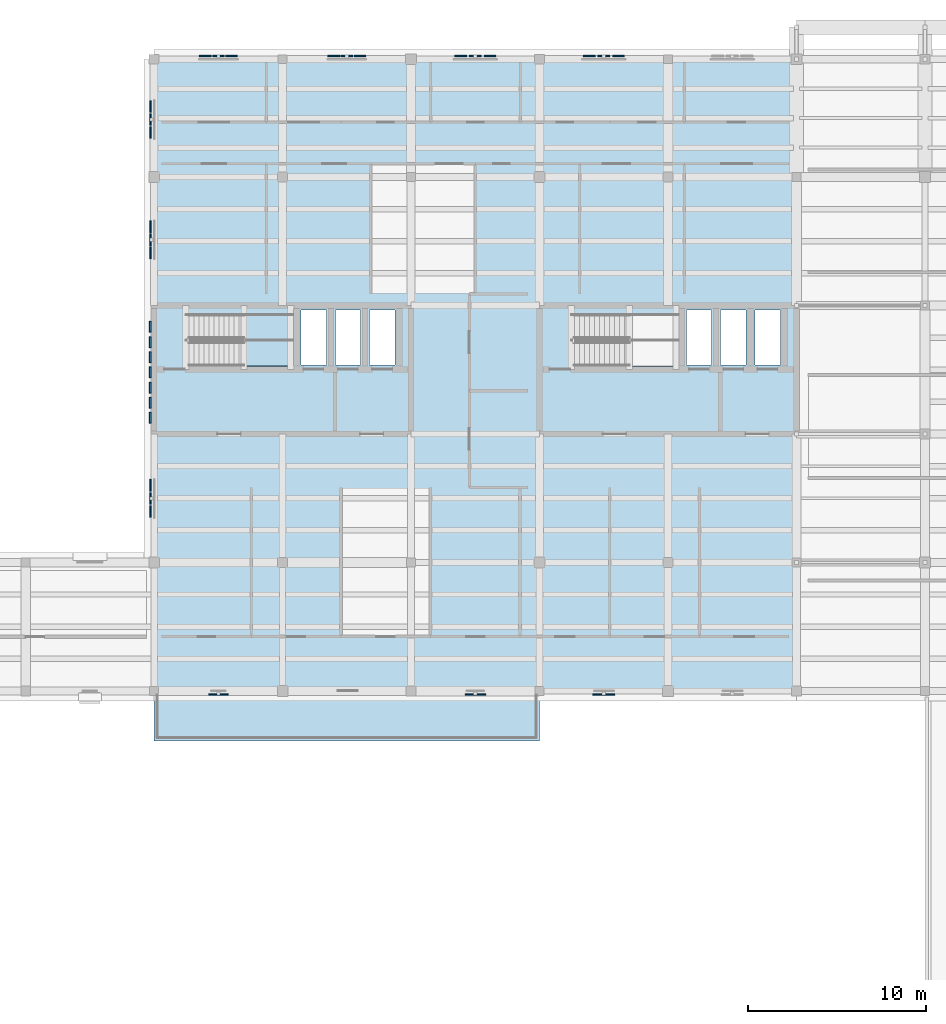
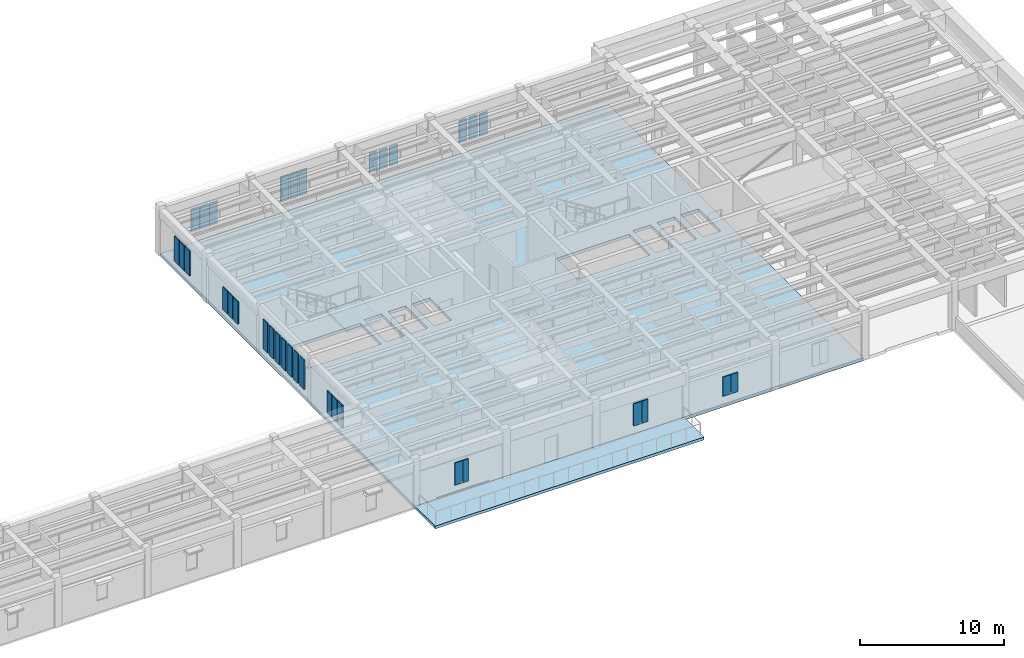
# One storey, part 7 of 22: 34 plates, 3 slabs, 1 element without a shape of its own.
"""IFC4 building model written with IfcOpenShell, lengths in metres."""

from ifc_helpers import new_model, si_unit, direction, frame, origin, origin_2d, place, context, subcontext, project, spatial, polyline, rectangle, outline, extrude, material, layer, layer_set, type_object, element, aggregate, save


model = new_model("IFC4")

# Units and contexts
model_context = context("Model", 3, precision=1e-05, world=origin(), true_north=direction((0.0, 1.0)))
body_context = subcontext(model_context, "Body", "Model", "MODEL_VIEW")
ifc_project = project(units=[si_unit("LENGTHUNIT", "METRE"), si_unit("AREAUNIT", "SQUARE_METRE"), si_unit("VOLUMEUNIT", "CUBIC_METRE"), si_unit("PLANEANGLEUNIT", "RADIAN"), si_unit("MASSUNIT", "GRAM", prefix="KILO")], contexts=[model_context])

# Site, building, storey
site_placement = place(None, origin())
site = spatial("IfcSite", under=ifc_project, at=site_placement, CompositionType="ELEMENT")
building_placement = place(site_placement, origin())
building = spatial("IfcBuilding", under=site, at=building_placement, Name="Mithqara Police Headquarters", CompositionType="ELEMENT")
storey_placement = place(building_placement, frame((0.0, 0.0, 22.199951171875)))
storey = spatial("IfcBuildingStorey", under=building, at=storey_placement, Name="L05", CompositionType="ELEMENT", Elevation=22.199951171875)

# Slab
ifc_material_1 = material(Name="Concrete C40/50", Category="concrete")
ifc_layer_1 = layer(ifc_material_1, 0.260009765625, Name="Concrete C40/50")
ifc_layer_set_1 = layer_set([ifc_layer_1], Name="Concrete C40/50")
slab_type_1 = type_object("IfcSlabType", Name="FLOOR SLAB 260", PredefinedType="FLOOR", material=ifc_layer_set_1)
slab_1_placement = place(storey_placement, frame((0.0, 0.0, -0.260009765625)))
element("IfcSlab", 1, at=slab_1_placement, inside=storey, type_object=slab_type_1, Name="L05 Structural Slab L05-V1A", PredefinedType="FLOOR", context=body_context, shape_type="SweptSolid", body=[
    extrude(outline(polyline([(108.60009765625, 114.0), (144.60009765625, 114.0), (144.60009765625, 78.60009765625), (114.60009765625, 78.60009765625), (114.60009765625, 78.739990234375), (110.39990234375, 78.739990234375), (110.39990234375, 78.60009765625), (108.60009765625, 78.60009765625), (108.60009765625, 114.0)]), holes=[polyline([(110.550048828125, 96.800048828125), (116.39990234375, 96.800048828125), (116.39990234375, 99.699951171875), (110.550048828125, 99.699951171875), (110.550048828125, 96.800048828125)]), polyline([(132.14990234375, 96.800048828125), (138.0, 96.800048828125), (138.0, 99.699951171875), (132.14990234375, 99.699951171875), (132.14990234375, 96.800048828125)]), polyline([(118.25, 96.8701171875), (118.25, 99.949951171875), (116.830078125, 99.949951171875), (116.830078125, 96.8701171875), (118.25, 96.8701171875)]), polyline([(120.169921875, 96.8701171875), (120.169921875, 99.949951171875), (118.75, 99.949951171875), (118.75, 96.8701171875), (120.169921875, 96.8701171875)]), polyline([(122.090087890625, 96.8701171875), (122.090087890625, 99.949951171875), (120.669921875, 99.949951171875), (120.669921875, 96.8701171875), (122.090087890625, 96.8701171875)]), polyline([(139.85009765625, 96.8701171875), (139.85009765625, 99.949951171875), (138.429931640625, 99.949951171875), (138.429931640625, 96.8701171875), (139.85009765625, 96.8701171875)]), polyline([(141.77001953125, 96.8701171875), (141.77001953125, 99.949951171875), (140.35009765625, 99.949951171875), (140.35009765625, 96.8701171875), (141.77001953125, 96.8701171875)]), polyline([(143.68994140625, 96.8701171875), (143.68994140625, 99.949951171875), (142.27001953125, 99.949951171875), (142.27001953125, 96.8701171875), (143.68994140625, 96.8701171875)])]), origin(), (0.0, 0.0, 1.0), 0.260009765625),
])

# Stair, slab
stair_type = type_object("IfcStairType", Name="STAIR ST 01-R24", PredefinedType="HALF_TURN_STAIR", material=ifc_material_1)
stair_placement = place(storey_placement, origin())
stair = element("IfcStair", 2, at=stair_placement, inside=storey, type_object=stair_type, Name="L05 Core C1 Command West Exit Stair", PredefinedType="HALF_TURN_STAIR")
ifc_layer_2 = layer(ifc_material_1, 0.199951171875, Name="Concrete C40/50")
ifc_layer_set_2 = layer_set([ifc_layer_2], Name="Concrete C40/50")
slab_type_2 = type_object("IfcSlabType", Name="STAIR LANDING 200", PredefinedType="LANDING", material=ifc_layer_set_2)
slab_2_placement = place(storey_placement, frame((0.0, 0.0, 1.900146484375)))
slab_2 = element("IfcSlab", 3, at=slab_2_placement, type_object=slab_type_2, Name="ST-01 landing 1", PredefinedType="LANDING", context=body_context, shape_type="SweptSolid", body=[
    extrude(outline(polyline([(113.6298828125, 96.800048828125), (116.39990234375, 96.800048828125), (116.39990234375, 99.699951171875), (113.6298828125, 99.699951171875), (113.6298828125, 96.800048828125)])), origin(), (0.0, 0.0, 1.0), 0.199951171875),
])
aggregate(stair, [slab_2])

# Plates
ifc_material_2 = material(Name="Limestone ashlar masonry, 45 MPa", Category="masonry")
ifc_layer_3 = layer(ifc_material_2, 0.10009765625, Name="Limestone ashlar masonry, 45 MPa")
ifc_layer_set_3 = layer_set([ifc_layer_3], Name="Limestone ashlar masonry, 45 MPa")
plate_type_1 = type_object("IfcPlateType", Name="STONE SCREEN 100", PredefinedType="USERDEFINED", material=ifc_layer_set_3)
for number, where, z_axis, x_axis, name in (
    (4, (108.39990234375, 104.618408203125, 0.830078125), (0.0, 0.0, 1.0), (0.0, 1.0, 0.0), "L05 Pierced Limestone Vertical-Slit Panel 241"),
    (5, (108.39990234375, 103.885009765625, 0.830078125), (0.0, 0.0, 1.0), (0.0, 1.0, 0.0), "L05 Pierced Limestone Vertical-Slit Panel 242"),
    (6, (108.39990234375, 103.151611328125, 0.830078125), (0.0, 0.0, 1.0), (0.0, 1.0, 0.0), "L05 Pierced Limestone Vertical-Slit Panel 243"),
):
    element("IfcPlate", number, at=place(storey_placement, frame(where, z_axis=z_axis, x_axis=x_axis)), inside=storey, type_object=plate_type_1, Name=name, ObjectType="STONE SCREEN", PredefinedType="USERDEFINED", context=body_context, shape_type="SweptSolid", body=[
        extrude(rectangle(XDim=0.656005859375, YDim=0.10009765625, at=origin_2d()), origin(), (0.0, 0.0, 1.0), 1.889892578125),
    ])
for number, where, z_axis, x_axis, name in (
    (7, (108.39990234375, 111.3583984375, 0.830078125), (0.0, 0.0, 1.0), (0.0, 1.0, 0.0), "L05 Pierced Limestone Vertical-Slit Panel 244"),
    (8, (108.39990234375, 110.625, 0.830078125), (0.0, 0.0, 1.0), (0.0, 1.0, 0.0), "L05 Pierced Limestone Vertical-Slit Panel 245"),
    (9, (108.39990234375, 109.8916015625, 0.830078125), (0.0, 0.0, 1.0), (0.0, 1.0, 0.0), "L05 Pierced Limestone Vertical-Slit Panel 246"),
):
    element("IfcPlate", number, at=place(storey_placement, frame(where, z_axis=z_axis, x_axis=x_axis)), inside=storey, type_object=plate_type_1, Name=name, ObjectType="STONE SCREEN", PredefinedType="USERDEFINED", context=body_context, shape_type="SweptSolid", body=[
        extrude(rectangle(XDim=0.656005859375, YDim=0.10009765625, at=origin_2d()), origin(), (0.0, 0.0, 1.0), 2.139892578125),
    ])
for number, where, z_axis, x_axis, name in (
    (10, (108.39990234375, 90.123291015625, 0.830078125), (0.0, 0.0, 1.0), (0.0, 1.0, 0.0), "L05 Pierced Limestone Vertical-Slit Panel 247"),
    (11, (108.39990234375, 89.389892578125, 0.830078125), (0.0, 0.0, 1.0), (0.0, 1.0, 0.0), "L05 Pierced Limestone Vertical-Slit Panel 248"),
    (12, (108.39990234375, 88.65673828125, 0.830078125), (0.0, 0.0, 1.0), (0.0, 1.0, 0.0), "L05 Pierced Limestone Vertical-Slit Panel 249"),
):
    element("IfcPlate", number, at=place(storey_placement, frame(where, z_axis=z_axis, x_axis=x_axis)), inside=storey, type_object=plate_type_1, Name=name, ObjectType="STONE SCREEN", PredefinedType="USERDEFINED", context=body_context, shape_type="SweptSolid", body=[
        extrude(rectangle(XDim=0.656005859375, YDim=0.10009765625, at=origin_2d()), origin(), (0.0, 0.0, 1.0), 1.889892578125),
    ])
for number, where, z_axis, x_axis, name in (
    (13, (108.385009765625, 93.89990234375, 0.900146484375), (0.0, 0.0, 1.0), (0.0, 1.0, 0.0), "L05 Core C1 Pierced Vertical-Slit Screen 1"),
    (14, (108.385009765625, 94.75, 0.900146484375), (0.0, 0.0, 1.0), (0.0, 1.0, 0.0), "L05 Core C1 Pierced Vertical-Slit Screen 2"),
    (15, (108.385009765625, 95.60009765625, 0.900146484375), (0.0, 0.0, 1.0), (0.0, 1.0, 0.0), "L05 Core C1 Pierced Vertical-Slit Screen 3"),
    (16, (108.385009765625, 96.449951171875, 0.900146484375), (0.0, 0.0, 1.0), (0.0, 1.0, 0.0), "L05 Core C1 Pierced Vertical-Slit Screen 4"),
    (17, (108.385009765625, 97.300048828125, 0.900146484375), (0.0, 0.0, 1.0), (0.0, 1.0, 0.0), "L05 Core C1 Pierced Vertical-Slit Screen 5"),
    (18, (108.385009765625, 98.14990234375, 0.900146484375), (0.0, 0.0, 1.0), (0.0, 1.0, 0.0), "L05 Core C1 Pierced Vertical-Slit Screen 6"),
    (19, (108.385009765625, 99.0, 0.900146484375), (0.0, 0.0, 1.0), (0.0, 1.0, 0.0), "L05 Core C1 Pierced Vertical-Slit Screen 7"),
):
    element("IfcPlate", number, at=place(storey_placement, frame(where, z_axis=z_axis, x_axis=x_axis)), inside=storey, type_object=plate_type_1, Name=name, ObjectType="STONE SCREEN", PredefinedType="USERDEFINED", context=body_context, shape_type="SweptSolid", body=[
        extrude(rectangle(XDim=0.6201171875, YDim=0.10009765625, at=origin_2d()), origin(), (0.0, 0.0, 1.0), 2.5),
    ])
ifc_layer_4 = layer(ifc_material_2, 0.080078125, Name="Limestone ashlar masonry, 45 MPa")
ifc_layer_set_4 = layer_set([ifc_layer_4], Name="Limestone ashlar masonry, 45 MPa")
plate_type_2 = type_object("IfcPlateType", Name="STONE SCREEN 80", PredefinedType="USERDEFINED", material=ifc_layer_set_4)
for number, where, z_axis, x_axis, name in (
    (20, (111.987548828125, 78.409912109375, 0.830078125), (0.0, 0.0, 1.0), (1.0, 0.0, 0.0), "L05 Pierced Limestone Vertical-Slit Panel 218"),
    (21, (112.41259765625, 78.409912109375, 0.830078125), (0.0, 0.0, 1.0), (1.0, 0.0, 0.0), "L05 Pierced Limestone Vertical-Slit Panel 219"),
    (22, (126.35009765625, 78.409912109375, 0.830078125), (0.0, 0.0, 1.0), (1.0, 0.0, 0.0), "L05 Pierced Limestone Vertical-Slit Panel 220"),
    (23, (126.85009765625, 78.409912109375, 0.830078125), (0.0, 0.0, 1.0), (1.0, 0.0, 0.0), "L05 Pierced Limestone Vertical-Slit Panel 221"),
):
    element("IfcPlate", number, at=place(storey_placement, frame(where, z_axis=z_axis, x_axis=x_axis)), inside=storey, type_object=plate_type_2, Name=name, ObjectType="STONE SCREEN", PredefinedType="USERDEFINED", context=body_context, shape_type="SweptSolid", body=[
        extrude(rectangle(XDim=0.656005859375, YDim=0.080078125, at=origin_2d()), origin(), (0.0, 0.0, 1.0), 1.889892578125),
    ])
for number, where, z_axis, x_axis, name in (
    (24, (133.512451171875, 78.409912109375, 0.830078125), (0.0, 0.0, 1.0), (1.0, 0.0, 0.0), "L05 Pierced Limestone Vertical-Slit Panel 222"),
    (25, (134.08740234375, 78.409912109375, 0.830078125), (0.0, 0.0, 1.0), (1.0, 0.0, 0.0), "L05 Pierced Limestone Vertical-Slit Panel 223"),
):
    element("IfcPlate", number, at=place(storey_placement, frame(where, z_axis=z_axis, x_axis=x_axis)), inside=storey, type_object=plate_type_2, Name=name, ObjectType="STONE SCREEN", PredefinedType="USERDEFINED", context=body_context, shape_type="SweptSolid", body=[
        extrude(rectangle(XDim=0.656005859375, YDim=0.080078125, at=origin_2d()), origin(), (0.0, 0.0, 1.0), 1.639892578125),
    ])
for number, where, z_axis, x_axis, name in (
    (26, (112.933349609375, 114.18994140625, 0.830078125), (0.0, 0.0, 1.0), (1.0, 0.0, 0.0), "L05 Pierced Limestone Vertical-Slit Panel 226"),
    (27, (112.199951171875, 114.18994140625, 0.830078125), (0.0, 0.0, 1.0), (1.0, 0.0, 0.0), "L05 Pierced Limestone Vertical-Slit Panel 227"),
    (28, (111.466796875, 114.18994140625, 0.830078125), (0.0, 0.0, 1.0), (1.0, 0.0, 0.0), "L05 Pierced Limestone Vertical-Slit Panel 228"),
):
    element("IfcPlate", number, at=place(storey_placement, frame(where, z_axis=z_axis, x_axis=x_axis)), inside=storey, type_object=plate_type_2, Name=name, ObjectType="STONE SCREEN", PredefinedType="USERDEFINED", context=body_context, shape_type="SweptSolid", body=[
        extrude(rectangle(XDim=0.656005859375, YDim=0.080078125, at=origin_2d()), origin(), (0.0, 0.0, 1.0), 1.889892578125),
    ])
for number, where, z_axis, x_axis, name in (
    (29, (120.13330078125, 114.18994140625, 0.830078125), (0.0, 0.0, 1.0), (1.0, 0.0, 0.0), "L05 Pierced Limestone Vertical-Slit Panel 229"),
    (30, (119.39990234375, 114.18994140625, 0.830078125), (0.0, 0.0, 1.0), (1.0, 0.0, 0.0), "L05 Pierced Limestone Vertical-Slit Panel 230"),
    (31, (118.666748046875, 114.18994140625, 0.830078125), (0.0, 0.0, 1.0), (1.0, 0.0, 0.0), "L05 Pierced Limestone Vertical-Slit Panel 231"),
):
    element("IfcPlate", number, at=place(storey_placement, frame(where, z_axis=z_axis, x_axis=x_axis)), inside=storey, type_object=plate_type_2, Name=name, ObjectType="STONE SCREEN", PredefinedType="USERDEFINED", context=body_context, shape_type="SweptSolid", body=[
        extrude(rectangle(XDim=0.656005859375, YDim=0.080078125, at=origin_2d()), origin(), (0.0, 0.0, 1.0), 2.139892578125),
    ])
for number, where, z_axis, x_axis, name in (
    (32, (127.416748046875, 114.18994140625, 0.830078125), (0.0, 0.0, 1.0), (1.0, 0.0, 0.0), "L05 Pierced Limestone Vertical-Slit Panel 232"),
    (33, (126.60009765625, 114.18994140625, 0.830078125), (0.0, 0.0, 1.0), (1.0, 0.0, 0.0), "L05 Pierced Limestone Vertical-Slit Panel 233"),
    (34, (125.783203125, 114.18994140625, 0.830078125), (0.0, 0.0, 1.0), (1.0, 0.0, 0.0), "L05 Pierced Limestone Vertical-Slit Panel 234"),
):
    element("IfcPlate", number, at=place(storey_placement, frame(where, z_axis=z_axis, x_axis=x_axis)), inside=storey, type_object=plate_type_2, Name=name, ObjectType="STONE SCREEN", PredefinedType="USERDEFINED", context=body_context, shape_type="SweptSolid", body=[
        extrude(rectangle(XDim=0.656005859375, YDim=0.080078125, at=origin_2d()), origin(), (0.0, 0.0, 1.0), 1.639892578125),
    ])
for number, where, z_axis, x_axis, name in (
    (35, (134.61669921875, 114.18994140625, 0.830078125), (0.0, 0.0, 1.0), (1.0, 0.0, 0.0), "L05 Pierced Limestone Vertical-Slit Panel 235"),
    (36, (133.800048828125, 114.18994140625, 0.830078125), (0.0, 0.0, 1.0), (1.0, 0.0, 0.0), "L05 Pierced Limestone Vertical-Slit Panel 236"),
    (37, (132.9833984375, 114.18994140625, 0.830078125), (0.0, 0.0, 1.0), (1.0, 0.0, 0.0), "L05 Pierced Limestone Vertical-Slit Panel 237"),
):
    element("IfcPlate", number, at=place(storey_placement, frame(where, z_axis=z_axis, x_axis=x_axis)), inside=storey, type_object=plate_type_2, Name=name, ObjectType="STONE SCREEN", PredefinedType="USERDEFINED", context=body_context, shape_type="SweptSolid", body=[
        extrude(rectangle(XDim=0.656005859375, YDim=0.080078125, at=origin_2d()), origin(), (0.0, 0.0, 1.0), 1.889892578125),
    ])

# Slab
ifc_layer_5 = layer(ifc_material_1, 0.239990234375, Name="Concrete C40/50")
ifc_layer_set_5 = layer_set([ifc_layer_5], Name="Concrete C40/50")
slab_type_3 = type_object("IfcSlabType", Name="TERRACE SLAB 240", PredefinedType="FLOOR", material=ifc_layer_set_5)
slab_3_placement = place(storey_placement, frame((0.0, 0.0, -0.239990234375)))
element("IfcSlab", 38, at=slab_3_placement, inside=storey, type_object=slab_type_3, Name="L05 Walkable Roof Terrace TER-L05-S", PredefinedType="FLOOR", context=body_context, shape_type="SweptSolid", body=[
    extrude(outline(polyline([(130.199951171875, 75.800048828125), (108.60009765625, 75.800048828125), (108.60009765625, 78.60009765625), (110.39990234375, 78.60009765625), (114.60009765625, 78.60009765625), (130.199951171875, 78.60009765625), (130.199951171875, 75.800048828125)])), origin(), (0.0, 0.0, 1.0), 0.239990234375),
])

save(model, "model.ifc")
